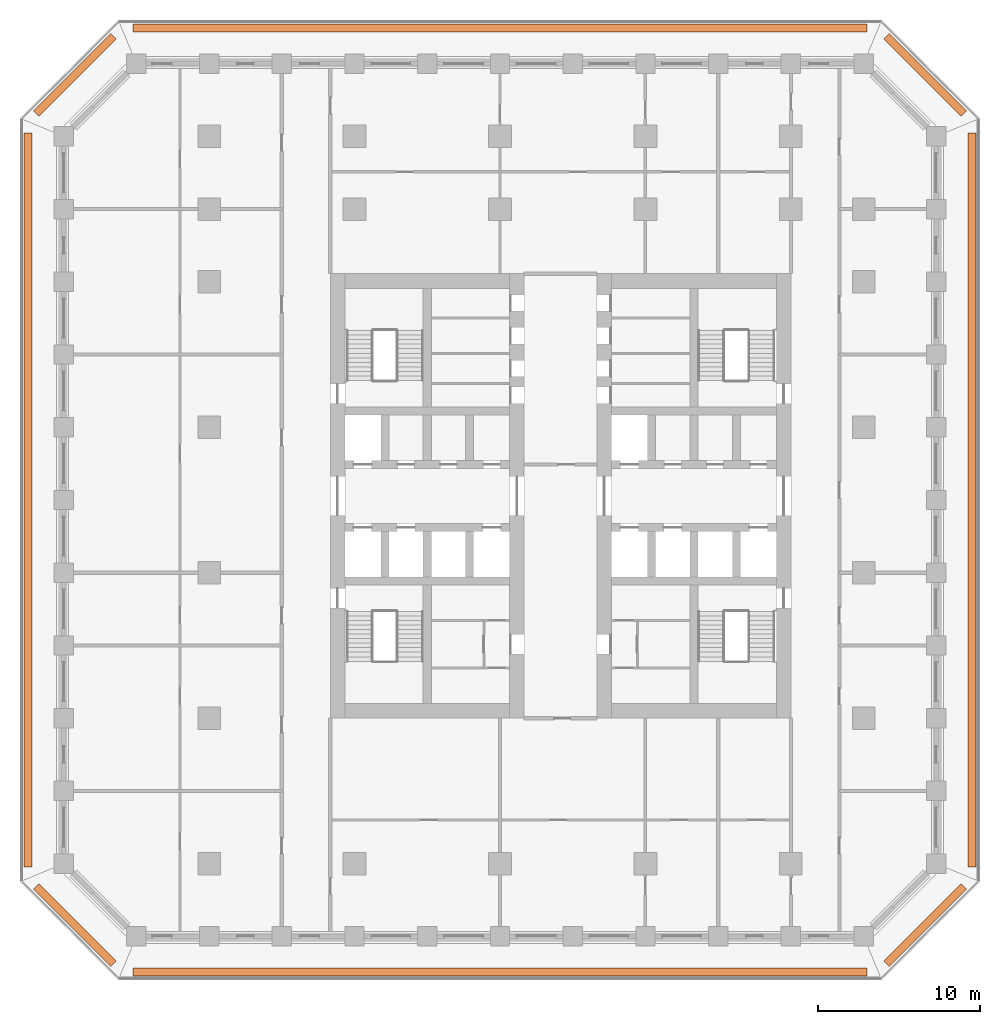
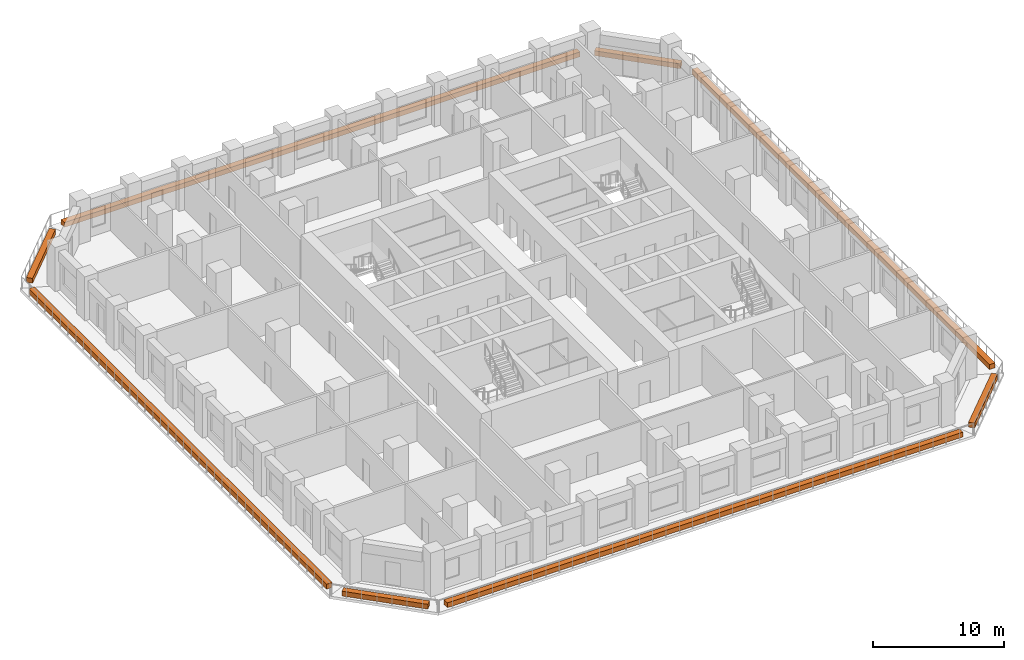
# One storey, part 16 of 16: 8 proxies.
"""IFC4 building model written with IfcOpenShell, lengths in metres."""

import ifcopenshell
import ifcopenshell.guid

model = None  # the IFC model being written
_history = None  # IfcOwnerHistory: only IFC2X3 demands one
_inside = {}  # id of a spatial element -> (the spatial element, [elements in it])
_under = {}  # id of a project, library or spatial element -> (it, [spatial elements below it])
_declared = {}  # id of a project -> (the project, [libraries it declares])
_typed = {}  # id of a type object -> (the type object, [elements of that type])
_made_of = {}  # id of a material, layer set ... -> (it, [elements and type objects made of it])


def new_model(schema):
    """Start an empty IFC model of exactly this schema.

    Asked for "IFC4X3", IfcOpenShell would pick the latest addendum, in which some entities
    have other attributes; the version numbers below select the first issue.
    IFC2X3 requires an IfcOwnerHistory on every rooted entity: one is made here for all.
    """
    global model, _history
    if schema == "IFC4X3":
        model = ifcopenshell.file(schema_version=(4, 3, 0, 0))
    else:
        model = ifcopenshell.file(schema=schema)
    _inside.clear()
    _under.clear()
    _declared.clear()
    _typed.clear()
    _made_of.clear()
    _history = None
    if model.schema == "IFC2X3":
        org = make("IfcOrganization", Name="unknown")
        user = make(
            "IfcPersonAndOrganization",
            ThePerson=make("IfcPerson", FamilyName="unknown"),
            TheOrganization=org,
        )
        app = make(
            "IfcApplication",
            ApplicationDeveloper=org,
            Version="unknown",
            ApplicationFullName="unknown",
            ApplicationIdentifier="unknown",
        )
        _history = make(
            "IfcOwnerHistory",
            OwningUser=user,
            OwningApplication=app,
            ChangeAction="ADDED",
            CreationDate=0,
        )
    return model


def make(cls, **values):
    """One entity of the class cls with the attributes given. An attribute that is None is left unset."""
    return model.create_entity(
        cls, **{name: value for name, value in values.items() if value is not None}
    )


def rooted(cls, **values):
    """An entity with a GlobalId (a new one), such as an element, a storey or a relation."""
    return make(cls, GlobalId=ifcopenshell.guid.new(), OwnerHistory=_history, **values)


def si_unit(unit_type, name, prefix=None):
    """IfcSIUnit, for example si_unit("LENGTHUNIT", "METRE", prefix="MILLI")."""
    return make("IfcSIUnit", UnitType=unit_type, Prefix=prefix, Name=name)


def assignment(units):
    """IfcUnitAssignment: the units of a project."""
    return None if units is None else make("IfcUnitAssignment", Units=units)


def point(xyz):
    """IfcCartesianPoint."""
    return None if xyz is None else make("IfcCartesianPoint", Coordinates=xyz)


def direction(xyz):
    """IfcDirection."""
    return None if xyz is None else make("IfcDirection", DirectionRatios=xyz)


def frame(location, z_axis=None, x_axis=None):
    """IfcAxis2Placement3D, a coordinate frame: its origin and axes. An axis left out is left unset."""
    return make(
        "IfcAxis2Placement3D",
        Location=point(location),
        Axis=direction(z_axis),
        RefDirection=direction(x_axis),
    )


def frame_2d(location, x_axis=None):
    """IfcAxis2Placement2D, a coordinate frame in the plane: its origin and x axis."""
    return make(
        "IfcAxis2Placement2D", Location=point(location), RefDirection=direction(x_axis)
    )


def origin():
    """The frame at (0, 0, 0) with its axes left unset."""
    return frame((0.0, 0.0, 0.0))


def origin_2d():
    """The frame at (0, 0) in the plane with its x axis left unset."""
    return frame_2d((0.0, 0.0))


def place(relative_to, where):
    """IfcLocalPlacement: puts the frame where relative to a parent placement (None: the world)."""
    return make(
        "IfcLocalPlacement", PlacementRelTo=relative_to, RelativePlacement=where
    )


def context(
    kind, dimensions, precision=None, world=None, true_north=None, identifier=None
):
    """IfcGeometricRepresentationContext, for example the 3D "Model" context."""
    return make(
        "IfcGeometricRepresentationContext",
        ContextIdentifier=identifier,
        ContextType=kind,
        CoordinateSpaceDimension=dimensions,
        Precision=precision,
        WorldCoordinateSystem=world,
        TrueNorth=true_north,
    )


def subcontext(parent, identifier, kind, view, scale=None):
    """IfcGeometricRepresentationSubContext, for example "Body" below "Model"."""
    return make(
        "IfcGeometricRepresentationSubContext",
        ContextIdentifier=identifier,
        ContextType=kind,
        ParentContext=parent,
        TargetScale=scale,
        TargetView=view,
    )


def project(units=None, contexts=None):
    """IfcProject with its units and contexts."""
    return rooted(
        "IfcProject",
        Name="project",
        RepresentationContexts=contexts,
        UnitsInContext=assignment(units),
    )


def spatial(cls, under=None, at=None, **own):
    """A site, building, storey or space (cls), placed at a placement, below another one or the project."""
    s = rooted(cls, ObjectPlacement=at, **own)
    if under is not None:
        _under.setdefault(under.id(), (under, []))[1].append(s)
    return s


def profile(cls, at=None, kind="AREA", **sizes):
    """A parametric profile (cls). Its sizes go by their IFC names, for example OverallWidth=200.0."""
    return make(cls, ProfileType=kind, Position=at, **sizes)


def rectangle(**sizes):
    """IfcRectangleProfileDef."""
    return profile("IfcRectangleProfileDef", **sizes)


def extrude(swept, where, along, depth):
    """IfcExtrudedAreaSolid: the profile swept, set in the frame where, extruded along a direction by depth."""
    return make(
        "IfcExtrudedAreaSolid",
        SweptArea=swept,
        Position=where,
        ExtrudedDirection=direction(along),
        Depth=depth,
    )


def shape(context_of_items, identifier, shape_type, items):
    """IfcShapeRepresentation: the items that make up one representation, for example the "Body"."""
    return make(
        "IfcShapeRepresentation",
        ContextOfItems=context_of_items,
        RepresentationIdentifier=identifier,
        RepresentationType=shape_type,
        Items=items,
    )


def material(Name=None, Category=None):
    """IfcMaterial."""
    return make("IfcMaterial", Name=Name, Category=Category)


def made_of(thing, what):
    """Note that an element or type object is made of a material, layer set ...; save() writes the relation."""
    if what is not None:
        _made_of.setdefault(what.id(), (what, []))[1].append(thing)
    return thing


def type_object(cls, material=None, **own):
    """A type object (cls), such as IfcWallType, which elements share."""
    return made_of(rooted(cls, **own), material)


def element(
    cls,
    number,
    at=None,
    inside=None,
    cuts=None,
    type_object=None,
    material=None,
    context=None,
    identifier="Body",
    shape_type=None,
    held_by="IfcProductDefinitionShape",
    body=None,
    shapes=None,
    **own,
):
    """One element of the class cls, such as IfcWall. Its Tag is "e" and its number.

    at: its placement. inside: the storey or other place that contains it. cuts: it is an
    opening in that element (IfcRelVoidsElement). A single representation is given by context,
    identifier, shape_type and body (its items); several are given by shapes. held_by: the class
    of the entity that holds the representations. save() writes the other relations.
    """
    e = rooted(cls, Tag="e%d" % number, ObjectPlacement=at, **own)
    if body is not None:
        shapes = [shape(context, identifier, shape_type, body)]
    if shapes is not None:
        e.Representation = make(held_by, Representations=shapes)
    if inside is not None:
        _inside.setdefault(inside.id(), (inside, []))[1].append(e)
    if cuts is not None:
        rooted(
            "IfcRelVoidsElement", RelatingBuildingElement=cuts, RelatedOpeningElement=e
        )
    if type_object is not None:
        _typed.setdefault(type_object.id(), (type_object, []))[1].append(e)
    return made_of(e, material)


def aggregate(whole, parts):
    """IfcRelAggregates: a whole, such as a stair, and the parts it consists of."""
    return rooted("IfcRelAggregates", RelatingObject=whole, RelatedObjects=parts)


def save(model, path):
    """Write the relations noted so far, then the file.

    IfcRelAggregates (storeys below a building ...), IfcRelContainedInSpatialStructure (elements
    in a storey), IfcRelDefinesByType, IfcRelAssociatesMaterial and IfcRelDeclares: one each for
    every whole, place, type object, material and project.
    """
    for whole, parts in _under.values():
        aggregate(whole, parts)
    for where, things in _inside.values():
        rooted(
            "IfcRelContainedInSpatialStructure",
            RelatedElements=things,
            RelatingStructure=where,
        )
    for kind, things in _typed.values():
        rooted("IfcRelDefinesByType", RelatedObjects=things, RelatingType=kind)
    for what, things in _made_of.values():
        rooted("IfcRelAssociatesMaterial", RelatedObjects=things, RelatingMaterial=what)
    for by, libraries in _declared.values():
        rooted("IfcRelDeclares", RelatingContext=by, RelatedDefinitions=libraries)
    model.write(path)


model = new_model("IFC4")

# Units and contexts
model_context = context("Model", 3, precision=1e-05, world=origin(), true_north=direction((0.0, 1.0)))
body_context = subcontext(model_context, "Body", "Model", "MODEL_VIEW")
ifc_project = project(units=[si_unit("LENGTHUNIT", "METRE"), si_unit("AREAUNIT", "SQUARE_METRE"), si_unit("VOLUMEUNIT", "CUBIC_METRE"), si_unit("PLANEANGLEUNIT", "RADIAN"), si_unit("MASSUNIT", "GRAM", prefix="KILO")], contexts=[model_context])

# Site, building, storey
site_placement = place(None, origin())
site = spatial("IfcSite", under=ifc_project, at=site_placement, CompositionType="ELEMENT")
building_placement = place(site_placement, origin())
building = spatial("IfcBuilding", under=site, at=building_placement, Name="Corbel Stack Research Tower", CompositionType="ELEMENT")
storey_placement = place(building_placement, frame((0.0, 0.0, 120.800048828125)))
storey = spatial("IfcBuildingStorey", under=building, at=storey_placement, Name="L27", CompositionType="ELEMENT", Elevation=120.800048828125)

# Proxies
ifc_material = material(Name="Concrete C45/55", Category="concrete")
building_element_proxy_type = type_object("IfcBuildingElementProxyType", Name="Planter box", PredefinedType="USERDEFINED", material=ifc_material)
proxy_1_placement = place(storey_placement, frame((0.0, -24.699951171875, 0.0), z_axis=(0.0, 0.0, 1.0), x_axis=(1.0, 0.0, 0.0)))
element("IfcBuildingElementProxy", 1, at=proxy_1_placement, inside=storey, type_object=building_element_proxy_type, Name="Planter L27 S", ObjectType="PLANTER", PredefinedType="USERDEFINED", context=body_context, shape_type="SweptSolid", body=[
    extrude(rectangle(XDim=45.41064453125, YDim=0.5, at=origin_2d()), origin(), (0.0, 0.0, 1.0), 0.449951171875),
])
proxy_2_placement = place(storey_placement, frame((26.3056640625, -21.8056640625, 0.0), z_axis=(0.0, 0.0, 1.0), x_axis=(0.707106781187, 0.707106781187, 0.0)))
element("IfcBuildingElementProxy", 2, at=proxy_2_placement, inside=storey, type_object=building_element_proxy_type, Name="Planter L27 SE", ObjectType="PLANTER", PredefinedType="USERDEFINED", context=body_context, shape_type="SweptSolid", body=[
    extrude(rectangle(XDim=6.774658203125, YDim=0.5, at=origin_2d()), origin(), (0.0, 0.0, 1.0), 0.449951171875),
])
proxy_3_placement = place(storey_placement, frame((29.199951171875, 4.5, 0.0), z_axis=(0.0, 0.0, 1.0), x_axis=(0.0, 1.0, 0.0)))
element("IfcBuildingElementProxy", 3, at=proxy_3_placement, inside=storey, type_object=building_element_proxy_type, Name="Planter L27 E", ObjectType="PLANTER", PredefinedType="USERDEFINED", context=body_context, shape_type="SweptSolid", body=[
    extrude(rectangle(XDim=45.41064453125, YDim=0.5, at=origin_2d()), origin(), (0.0, 0.0, 1.0), 0.449951171875),
])
proxy_4_placement = place(storey_placement, frame((26.3056640625, 30.8056640625, 0.0), z_axis=(0.0, 0.0, 1.0), x_axis=(-0.707106781187, 0.707106781187, 0.0)))
element("IfcBuildingElementProxy", 4, at=proxy_4_placement, inside=storey, type_object=building_element_proxy_type, Name="Planter L27 NE", ObjectType="PLANTER", PredefinedType="USERDEFINED", context=body_context, shape_type="SweptSolid", body=[
    extrude(rectangle(XDim=6.774658203125, YDim=0.5, at=origin_2d()), origin(), (0.0, 0.0, 1.0), 0.449951171875),
])
proxy_5_placement = place(storey_placement, frame((0.0, 33.699951171875, 0.0), z_axis=(0.0, 0.0, 1.0), x_axis=(-1.0, 0.0, 0.0)))
element("IfcBuildingElementProxy", 5, at=proxy_5_placement, inside=storey, type_object=building_element_proxy_type, Name="Planter L27 N", ObjectType="PLANTER", PredefinedType="USERDEFINED", context=body_context, shape_type="SweptSolid", body=[
    extrude(rectangle(XDim=45.41064453125, YDim=0.5, at=origin_2d()), origin(), (0.0, 0.0, 1.0), 0.449951171875),
])
proxy_6_placement = place(storey_placement, frame((-26.3056640625, 30.8056640625, 0.0), z_axis=(0.0, 0.0, 1.0), x_axis=(-0.707106781187, -0.707106781187, 0.0)))
element("IfcBuildingElementProxy", 6, at=proxy_6_placement, inside=storey, type_object=building_element_proxy_type, Name="Planter L27 NW", ObjectType="PLANTER", PredefinedType="USERDEFINED", context=body_context, shape_type="SweptSolid", body=[
    extrude(rectangle(XDim=6.774658203125, YDim=0.5, at=origin_2d()), origin(), (0.0, 0.0, 1.0), 0.449951171875),
])
proxy_7_placement = place(storey_placement, frame((-29.199951171875, 4.5, 0.0), z_axis=(0.0, 0.0, 1.0), x_axis=(0.0, -1.0, 0.0)))
element("IfcBuildingElementProxy", 7, at=proxy_7_placement, inside=storey, type_object=building_element_proxy_type, Name="Planter L27 W", ObjectType="PLANTER", PredefinedType="USERDEFINED", context=body_context, shape_type="SweptSolid", body=[
    extrude(rectangle(XDim=45.41064453125, YDim=0.5, at=origin_2d()), origin(), (0.0, 0.0, 1.0), 0.449951171875),
])
proxy_8_placement = place(storey_placement, frame((-26.3056640625, -21.8056640625, 0.0), z_axis=(0.0, 0.0, 1.0), x_axis=(0.707106781187, -0.707106781187, 0.0)))
element("IfcBuildingElementProxy", 8, at=proxy_8_placement, inside=storey, type_object=building_element_proxy_type, Name="Planter L27 SW", ObjectType="PLANTER", PredefinedType="USERDEFINED", context=body_context, shape_type="SweptSolid", body=[
    extrude(rectangle(XDim=6.774658203125, YDim=0.5, at=origin_2d()), origin(), (0.0, 0.0, 1.0), 0.449951171875),
])

save(model, "model.ifc")
